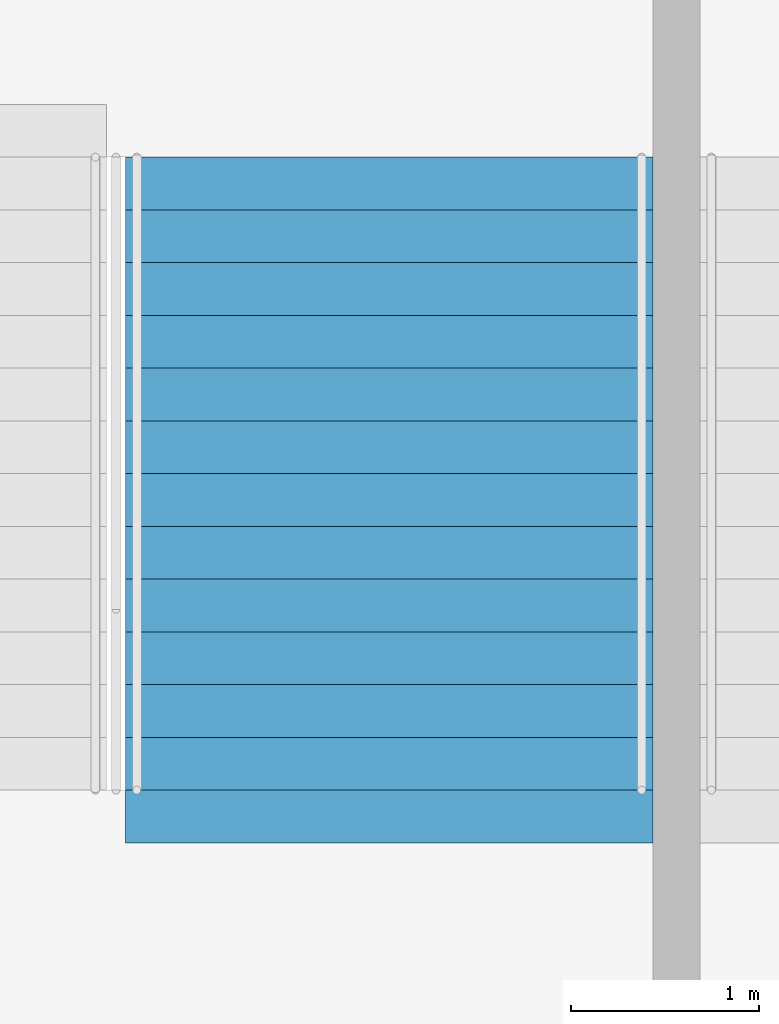
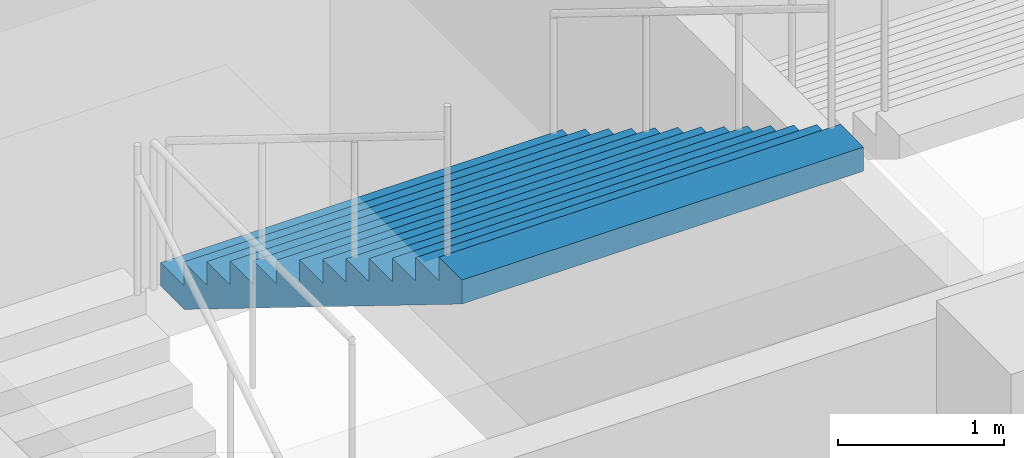
# One storey, part 171 of 199: 1 stair flight, 1 element without a shape of its own.
"""IFC4 building model written with IfcOpenShell, lengths in metres."""

from ifc_helpers import new_model, si_unit, direction, frame, origin, place, context, subcontext, project, spatial, faceted_brep, material, type_object, element, aggregate, save


model = new_model("IFC4")

# Units and contexts
model_context = context("Model", 3, precision=1e-05, world=origin(), true_north=direction((0.0, 1.0)))
body_context = subcontext(model_context, "Body", "Model", "MODEL_VIEW")
ifc_project = project(units=[si_unit("LENGTHUNIT", "METRE"), si_unit("AREAUNIT", "SQUARE_METRE"), si_unit("VOLUMEUNIT", "CUBIC_METRE"), si_unit("PLANEANGLEUNIT", "RADIAN"), si_unit("MASSUNIT", "GRAM", prefix="KILO")], contexts=[model_context])

# Site, building, storey
site_placement = place(None, origin())
site = spatial("IfcSite", under=ifc_project, at=site_placement, CompositionType="ELEMENT")
building_placement = place(site_placement, origin())
building = spatial("IfcBuilding", under=site, at=building_placement, Name="Ogive Plaza Stadium", CompositionType="ELEMENT")
storey_placement = place(building_placement, frame((0.0, 0.0, 4.5)))
storey = spatial("IfcBuildingStorey", under=building, at=storey_placement, Name="L01", CompositionType="ELEMENT", Elevation=4.5)

# Stair, stair flight
ifc_material_1 = material(Name="Concrete C40/50", Category="concrete")
stair_type = type_object("IfcStairType", Name="Exit stair", PredefinedType="STRAIGHT_RUN_STAIR", material=ifc_material_1)
stair_placement = place(storey_placement, origin())
stair = element("IfcStair", 1, at=stair_placement, inside=storey, type_object=stair_type, Name="Exit stair ST36B L01 to L02", PredefinedType="STRAIGHT_RUN_STAIR")
ifc_material_2 = material(Name="Concrete C40/50", Category="concrete")
stair_flight_type = type_object("IfcStairFlightType", Name="Exit stair flight", PredefinedType="STRAIGHT", material=ifc_material_2)
stair_flight_placement = place(storey_placement, frame((18.875, 98.2099609375, 2.25), z_axis=(0.0, 0.0, 1.0), x_axis=(0.0, -1.0, 0.0)))
stair_flight = element("IfcStairFlight", 2, at=stair_flight_placement, type_object=stair_flight_type, Name="ST36B flight 2", NumberOfRisers=13, NumberOfTreads=12, PredefinedType="STRAIGHT", RiserHeight=0.173076923, TreadLength=0.28, context=body_context, shape_type="Brep", body=[
    faceted_brep([(0.28515625, -1.39990234375, 0.0), (3.639892578125, -1.39990234375, 2.07373046875), (3.639892578125, -1.39990234375, 2.25), (3.360107421875, -1.39990234375, 2.25), (3.360107421875, -1.39990234375, 2.076904296875), (3.080078125, -1.39990234375, 2.076904296875), (3.080078125, -1.39990234375, 1.90380859375), (2.800048828125, -1.39990234375, 1.90380859375), (2.800048828125, -1.39990234375, 1.730712890625), (2.52001953125, -1.39990234375, 1.730712890625), (2.52001953125, -1.39990234375, 1.5576171875), (2.239990234375, -1.39990234375, 1.5576171875), (2.239990234375, -1.39990234375, 1.384521484375), (1.9599609375, -1.39990234375, 1.384521484375), (1.9599609375, -1.39990234375, 1.21142578125), (1.679931640625, -1.39990234375, 1.21142578125), (1.679931640625, -1.39990234375, 1.03857421875), (1.39990234375, -1.39990234375, 1.03857421875), (1.39990234375, -1.39990234375, 0.865478515625), (1.1201171875, -1.39990234375, 0.865478515625), (1.1201171875, -1.39990234375, 0.6923828125), (0.840087890625, -1.39990234375, 0.6923828125), (0.840087890625, -1.39990234375, 0.519287109375), (0.56005859375, -1.39990234375, 0.519287109375), (0.56005859375, -1.39990234375, 0.34619140625), (0.280029296875, -1.39990234375, 0.34619140625), (0.280029296875, -1.39990234375, 0.173095703125), (0.0, -1.39990234375, 0.173095703125), (0.0, -1.39990234375, 0.0), (0.0, 1.39990234375, 0.0), (0.0, 1.39990234375, 0.173095703125), (0.280029296875, 1.39990234375, 0.173095703125), (0.280029296875, 1.39990234375, 0.34619140625), (0.56005859375, 1.39990234375, 0.34619140625), (0.56005859375, 1.39990234375, 0.519287109375), (0.840087890625, 1.39990234375, 0.519287109375), (0.840087890625, 1.39990234375, 0.6923828125), (1.1201171875, 1.39990234375, 0.6923828125), (1.1201171875, 1.39990234375, 0.865478515625), (1.39990234375, 1.39990234375, 0.865478515625), (1.39990234375, 1.39990234375, 1.03857421875), (1.679931640625, 1.39990234375, 1.03857421875), (1.679931640625, 1.39990234375, 1.21142578125), (1.9599609375, 1.39990234375, 1.21142578125), (1.9599609375, 1.39990234375, 1.384521484375), (2.239990234375, 1.39990234375, 1.384521484375), (2.239990234375, 1.39990234375, 1.5576171875), (2.52001953125, 1.39990234375, 1.5576171875), (2.52001953125, 1.39990234375, 1.730712890625), (2.800048828125, 1.39990234375, 1.730712890625), (2.800048828125, 1.39990234375, 1.90380859375), (3.080078125, 1.39990234375, 1.90380859375), (3.080078125, 1.39990234375, 2.076904296875), (3.360107421875, 1.39990234375, 2.076904296875), (3.360107421875, 1.39990234375, 2.25), (3.639892578125, 1.39990234375, 2.25), (3.639892578125, 1.39990234375, 2.07373046875), (0.28515625, 1.39990234375, 0.0), (0.28515625, -1.0888671875, 0.0), (3.639892578125, -1.0888671875, 2.07373046875), (0.28515625, -0.77783203125, 0.0), (3.639892578125, -0.77783203125, 2.07373046875), (0.28515625, -0.466796875, 0.0), (3.639892578125, -0.466796875, 2.07373046875), (0.28515625, -0.155517578125, 0.0), (3.639892578125, -0.155517578125, 2.07373046875), (0.28515625, 0.155517578125, 0.0), (3.639892578125, 0.155517578125, 2.07373046875), (0.28515625, 0.466796875, 0.0), (3.639892578125, 0.466796875, 2.07373046875), (0.28515625, 0.77783203125, 0.0), (3.639892578125, 0.77783203125, 2.07373046875), (0.28515625, 1.0888671875, 0.0), (3.639892578125, 1.0888671875, 2.07373046875), (3.639892578125, -1.0888671875, 2.25), (3.639892578125, -0.77783203125, 2.25), (3.639892578125, -0.466796875, 2.25), (3.639892578125, -0.155517578125, 2.25), (3.639892578125, 0.155517578125, 2.25), (3.639892578125, 0.466796875, 2.25), (3.639892578125, 0.77783203125, 2.25), (3.639892578125, 1.0888671875, 2.25), (3.360107421875, -1.0888671875, 2.25), (3.360107421875, -0.77783203125, 2.25), (3.360107421875, -0.466796875, 2.25), (3.360107421875, -0.155517578125, 2.25), (3.360107421875, 0.155517578125, 2.25), (3.360107421875, 0.466796875, 2.25), (3.360107421875, 0.77783203125, 2.25), (3.360107421875, 1.0888671875, 2.25), (3.360107421875, -1.0888671875, 2.076904296875), (3.360107421875, -0.77783203125, 2.076904296875), (3.360107421875, -0.466796875, 2.076904296875), (3.360107421875, -0.155517578125, 2.076904296875), (3.360107421875, 0.155517578125, 2.076904296875), (3.360107421875, 0.466796875, 2.076904296875), (3.360107421875, 0.77783203125, 2.076904296875), (3.360107421875, 1.0888671875, 2.076904296875), (3.080078125, -1.0888671875, 2.076904296875), (3.080078125, -0.77783203125, 2.076904296875), (3.080078125, -0.466796875, 2.076904296875), (3.080078125, -0.155517578125, 2.076904296875), (3.080078125, 0.155517578125, 2.076904296875), (3.080078125, 0.466796875, 2.076904296875), (3.080078125, 0.77783203125, 2.076904296875), (3.080078125, 1.0888671875, 2.076904296875), (3.080078125, -1.0888671875, 1.90380859375), (3.080078125, -0.77783203125, 1.90380859375), (3.080078125, -0.466796875, 1.90380859375), (3.080078125, -0.155517578125, 1.90380859375), (3.080078125, 0.155517578125, 1.90380859375), (3.080078125, 0.466796875, 1.90380859375), (3.080078125, 0.77783203125, 1.90380859375), (3.080078125, 1.0888671875, 1.90380859375), (2.800048828125, -1.0888671875, 1.90380859375), (2.800048828125, -0.77783203125, 1.90380859375), (2.800048828125, -0.466796875, 1.90380859375), (2.800048828125, -0.155517578125, 1.90380859375), (2.800048828125, 0.155517578125, 1.90380859375), (2.800048828125, 0.466796875, 1.90380859375), (2.800048828125, 0.77783203125, 1.90380859375), (2.800048828125, 1.0888671875, 1.90380859375), (2.800048828125, -1.0888671875, 1.730712890625), (2.800048828125, -0.77783203125, 1.730712890625), (2.800048828125, -0.466796875, 1.730712890625), (2.800048828125, -0.155517578125, 1.730712890625), (2.800048828125, 0.155517578125, 1.730712890625), (2.800048828125, 0.466796875, 1.730712890625), (2.800048828125, 0.77783203125, 1.730712890625), (2.800048828125, 1.0888671875, 1.730712890625), (2.52001953125, -1.0888671875, 1.730712890625), (2.52001953125, -0.77783203125, 1.730712890625), (2.52001953125, -0.466796875, 1.730712890625), (2.52001953125, -0.155517578125, 1.730712890625), (2.52001953125, 0.155517578125, 1.730712890625), (2.52001953125, 0.466796875, 1.730712890625), (2.52001953125, 0.77783203125, 1.730712890625), (2.52001953125, 1.0888671875, 1.730712890625), (2.52001953125, -1.0888671875, 1.5576171875), (2.52001953125, -0.77783203125, 1.5576171875), (2.52001953125, -0.466796875, 1.5576171875), (2.52001953125, -0.155517578125, 1.5576171875), (2.52001953125, 0.155517578125, 1.5576171875), (2.52001953125, 0.466796875, 1.5576171875), (2.52001953125, 0.77783203125, 1.5576171875), (2.52001953125, 1.0888671875, 1.5576171875), (2.239990234375, -1.0888671875, 1.5576171875), (2.239990234375, -0.77783203125, 1.5576171875), (2.239990234375, -0.466796875, 1.5576171875), (2.239990234375, -0.155517578125, 1.5576171875), (2.239990234375, 0.155517578125, 1.5576171875), (2.239990234375, 0.466796875, 1.5576171875), (2.239990234375, 0.77783203125, 1.5576171875), (2.239990234375, 1.0888671875, 1.5576171875), (2.239990234375, -1.0888671875, 1.384521484375), (2.239990234375, -0.77783203125, 1.384521484375), (2.239990234375, -0.466796875, 1.384521484375), (2.239990234375, -0.155517578125, 1.384521484375), (2.239990234375, 0.155517578125, 1.384521484375), (2.239990234375, 0.466796875, 1.384521484375), (2.239990234375, 0.77783203125, 1.384521484375), (2.239990234375, 1.0888671875, 1.384521484375), (1.9599609375, -1.0888671875, 1.384521484375), (1.9599609375, -0.77783203125, 1.384521484375), (1.9599609375, -0.466796875, 1.384521484375), (1.9599609375, -0.155517578125, 1.384521484375), (1.9599609375, 0.155517578125, 1.384521484375), (1.9599609375, 0.466796875, 1.384521484375), (1.9599609375, 0.77783203125, 1.384521484375), (1.9599609375, 1.0888671875, 1.384521484375), (1.9599609375, -1.0888671875, 1.21142578125), (1.9599609375, -0.77783203125, 1.21142578125), (1.9599609375, -0.466796875, 1.21142578125), (1.9599609375, -0.155517578125, 1.21142578125), (1.9599609375, 0.155517578125, 1.21142578125), (1.9599609375, 0.466796875, 1.21142578125), (1.9599609375, 0.77783203125, 1.21142578125), (1.9599609375, 1.0888671875, 1.21142578125), (1.679931640625, -1.0888671875, 1.21142578125), (1.679931640625, -0.77783203125, 1.21142578125), (1.679931640625, -0.466796875, 1.21142578125), (1.679931640625, -0.155517578125, 1.21142578125), (1.679931640625, 0.155517578125, 1.21142578125), (1.679931640625, 0.466796875, 1.21142578125), (1.679931640625, 0.77783203125, 1.21142578125), (1.679931640625, 1.0888671875, 1.21142578125), (1.679931640625, -1.0888671875, 1.03857421875), (1.679931640625, -0.77783203125, 1.03857421875), (1.679931640625, -0.466796875, 1.03857421875), (1.679931640625, -0.155517578125, 1.03857421875), (1.679931640625, 0.155517578125, 1.03857421875), (1.679931640625, 0.466796875, 1.03857421875), (1.679931640625, 0.77783203125, 1.03857421875), (1.679931640625, 1.0888671875, 1.03857421875), (1.39990234375, -1.0888671875, 1.03857421875), (1.39990234375, -0.77783203125, 1.03857421875), (1.39990234375, -0.466796875, 1.03857421875), (1.39990234375, -0.155517578125, 1.03857421875), (1.39990234375, 0.155517578125, 1.03857421875), (1.39990234375, 0.466796875, 1.03857421875), (1.39990234375, 0.77783203125, 1.03857421875), (1.39990234375, 1.0888671875, 1.03857421875), (1.39990234375, -1.0888671875, 0.865478515625), (1.39990234375, -0.77783203125, 0.865478515625), (1.39990234375, -0.466796875, 0.865478515625), (1.39990234375, -0.155517578125, 0.865478515625), (1.39990234375, 0.155517578125, 0.865478515625), (1.39990234375, 0.466796875, 0.865478515625), (1.39990234375, 0.77783203125, 0.865478515625), (1.39990234375, 1.0888671875, 0.865478515625), (1.1201171875, -1.0888671875, 0.865478515625), (1.1201171875, -0.77783203125, 0.865478515625), (1.1201171875, -0.466796875, 0.865478515625), (1.1201171875, -0.155517578125, 0.865478515625), (1.1201171875, 0.155517578125, 0.865478515625), (1.1201171875, 0.466796875, 0.865478515625), (1.1201171875, 0.77783203125, 0.865478515625), (1.1201171875, 1.0888671875, 0.865478515625), (1.1201171875, -1.0888671875, 0.6923828125), (1.1201171875, -0.77783203125, 0.6923828125), (1.1201171875, -0.466796875, 0.6923828125), (1.1201171875, -0.155517578125, 0.6923828125), (1.1201171875, 0.155517578125, 0.6923828125), (1.1201171875, 0.466796875, 0.6923828125), (1.1201171875, 0.77783203125, 0.6923828125), (1.1201171875, 1.0888671875, 0.6923828125), (0.840087890625, -1.0888671875, 0.6923828125), (0.840087890625, -0.77783203125, 0.6923828125), (0.840087890625, -0.466796875, 0.6923828125), (0.840087890625, -0.155517578125, 0.6923828125), (0.840087890625, 0.155517578125, 0.6923828125), (0.840087890625, 0.466796875, 0.6923828125), (0.840087890625, 0.77783203125, 0.6923828125), (0.840087890625, 1.0888671875, 0.6923828125), (0.840087890625, -1.0888671875, 0.519287109375), (0.840087890625, -0.77783203125, 0.519287109375), (0.840087890625, -0.466796875, 0.519287109375), (0.840087890625, -0.155517578125, 0.519287109375), (0.840087890625, 0.155517578125, 0.519287109375), (0.840087890625, 0.466796875, 0.519287109375), (0.840087890625, 0.77783203125, 0.519287109375), (0.840087890625, 1.0888671875, 0.519287109375), (0.56005859375, -1.0888671875, 0.519287109375), (0.56005859375, -0.77783203125, 0.519287109375), (0.56005859375, -0.466796875, 0.519287109375), (0.56005859375, -0.155517578125, 0.519287109375), (0.56005859375, 0.155517578125, 0.519287109375), (0.56005859375, 0.466796875, 0.519287109375), (0.56005859375, 0.77783203125, 0.519287109375), (0.56005859375, 1.0888671875, 0.519287109375), (0.56005859375, -1.0888671875, 0.34619140625), (0.56005859375, -0.77783203125, 0.34619140625), (0.56005859375, -0.466796875, 0.34619140625), (0.56005859375, -0.155517578125, 0.34619140625), (0.56005859375, 0.155517578125, 0.34619140625), (0.56005859375, 0.466796875, 0.34619140625), (0.56005859375, 0.77783203125, 0.34619140625), (0.56005859375, 1.0888671875, 0.34619140625), (0.280029296875, -1.0888671875, 0.34619140625), (0.280029296875, -0.77783203125, 0.34619140625), (0.280029296875, -0.466796875, 0.34619140625), (0.280029296875, -0.155517578125, 0.34619140625), (0.280029296875, 0.155517578125, 0.34619140625), (0.280029296875, 0.466796875, 0.34619140625), (0.280029296875, 0.77783203125, 0.34619140625), (0.280029296875, 1.0888671875, 0.34619140625), (0.280029296875, -1.0888671875, 0.173095703125), (0.280029296875, -0.77783203125, 0.173095703125), (0.280029296875, -0.466796875, 0.173095703125), (0.280029296875, -0.155517578125, 0.173095703125), (0.280029296875, 0.155517578125, 0.173095703125), (0.280029296875, 0.466796875, 0.173095703125), (0.280029296875, 0.77783203125, 0.173095703125), (0.280029296875, 1.0888671875, 0.173095703125), (0.0, -1.0888671875, 0.173095703125), (0.0, -0.77783203125, 0.173095703125), (0.0, -0.466796875, 0.173095703125), (0.0, -0.155517578125, 0.173095703125), (0.0, 0.155517578125, 0.173095703125), (0.0, 0.466796875, 0.173095703125), (0.0, 0.77783203125, 0.173095703125), (0.0, 1.0888671875, 0.173095703125), (0.0, -1.0888671875, 0.0), (0.0, -0.77783203125, 0.0), (0.0, -0.466796875, 0.0), (0.0, -0.155517578125, 0.0), (0.0, 0.155517578125, 0.0), (0.0, 0.466796875, 0.0), (0.0, 0.77783203125, 0.0), (0.0, 1.0888671875, 0.0)], [[[0, 1, 2, 3, 4, 5, 6, 7, 8, 9, 10, 11, 12, 13, 14, 15, 16, 17, 18, 19, 20, 21, 22, 23, 24, 25, 26, 27, 28]], [[29, 30, 31, 32, 33, 34, 35, 36, 37, 38, 39, 40, 41, 42, 43, 44, 45, 46, 47, 48, 49, 50, 51, 52, 53, 54, 55, 56, 57]], [[0, 58, 59, 1]], [[58, 60, 61, 59]], [[60, 62, 63, 61]], [[62, 64, 65, 63]], [[64, 66, 67, 65]], [[66, 68, 69, 67]], [[68, 70, 71, 69]], [[70, 72, 73, 71]], [[72, 57, 56, 73]], [[1, 59, 74, 2]], [[59, 61, 75, 74]], [[61, 63, 76, 75]], [[63, 65, 77, 76]], [[65, 67, 78, 77]], [[67, 69, 79, 78]], [[69, 71, 80, 79]], [[71, 73, 81, 80]], [[73, 56, 55, 81]], [[2, 74, 82, 3]], [[74, 75, 83, 82]], [[75, 76, 84, 83]], [[76, 77, 85, 84]], [[77, 78, 86, 85]], [[78, 79, 87, 86]], [[79, 80, 88, 87]], [[80, 81, 89, 88]], [[81, 55, 54, 89]], [[3, 82, 90, 4]], [[82, 83, 91, 90]], [[83, 84, 92, 91]], [[84, 85, 93, 92]], [[85, 86, 94, 93]], [[86, 87, 95, 94]], [[87, 88, 96, 95]], [[88, 89, 97, 96]], [[89, 54, 53, 97]], [[4, 90, 98, 5]], [[90, 91, 99, 98]], [[91, 92, 100, 99]], [[92, 93, 101, 100]], [[93, 94, 102, 101]], [[94, 95, 103, 102]], [[95, 96, 104, 103]], [[96, 97, 105, 104]], [[97, 53, 52, 105]], [[5, 98, 106, 6]], [[98, 99, 107, 106]], [[99, 100, 108, 107]], [[100, 101, 109, 108]], [[101, 102, 110, 109]], [[102, 103, 111, 110]], [[103, 104, 112, 111]], [[104, 105, 113, 112]], [[105, 52, 51, 113]], [[6, 106, 114, 7]], [[106, 107, 115, 114]], [[107, 108, 116, 115]], [[108, 109, 117, 116]], [[109, 110, 118, 117]], [[110, 111, 119, 118]], [[111, 112, 120, 119]], [[112, 113, 121, 120]], [[113, 51, 50, 121]], [[7, 114, 122, 8]], [[114, 115, 123, 122]], [[115, 116, 124, 123]], [[116, 117, 125, 124]], [[117, 118, 126, 125]], [[118, 119, 127, 126]], [[119, 120, 128, 127]], [[120, 121, 129, 128]], [[121, 50, 49, 129]], [[8, 122, 130, 9]], [[122, 123, 131, 130]], [[123, 124, 132, 131]], [[124, 125, 133, 132]], [[125, 126, 134, 133]], [[126, 127, 135, 134]], [[127, 128, 136, 135]], [[128, 129, 137, 136]], [[129, 49, 48, 137]], [[9, 130, 138, 10]], [[130, 131, 139, 138]], [[131, 132, 140, 139]], [[132, 133, 141, 140]], [[133, 134, 142, 141]], [[134, 135, 143, 142]], [[135, 136, 144, 143]], [[136, 137, 145, 144]], [[137, 48, 47, 145]], [[10, 138, 146, 11]], [[138, 139, 147, 146]], [[139, 140, 148, 147]], [[140, 141, 149, 148]], [[141, 142, 150, 149]], [[142, 143, 151, 150]], [[143, 144, 152, 151]], [[144, 145, 153, 152]], [[145, 47, 46, 153]], [[11, 146, 154, 12]], [[146, 147, 155, 154]], [[147, 148, 156, 155]], [[148, 149, 157, 156]], [[149, 150, 158, 157]], [[150, 151, 159, 158]], [[151, 152, 160, 159]], [[152, 153, 161, 160]], [[153, 46, 45, 161]], [[12, 154, 162, 13]], [[154, 155, 163, 162]], [[155, 156, 164, 163]], [[156, 157, 165, 164]], [[157, 158, 166, 165]], [[158, 159, 167, 166]], [[159, 160, 168, 167]], [[160, 161, 169, 168]], [[161, 45, 44, 169]], [[13, 162, 170, 14]], [[162, 163, 171, 170]], [[163, 164, 172, 171]], [[164, 165, 173, 172]], [[165, 166, 174, 173]], [[166, 167, 175, 174]], [[167, 168, 176, 175]], [[168, 169, 177, 176]], [[169, 44, 43, 177]], [[14, 170, 178, 15]], [[170, 171, 179, 178]], [[171, 172, 180, 179]], [[172, 173, 181, 180]], [[173, 174, 182, 181]], [[174, 175, 183, 182]], [[175, 176, 184, 183]], [[176, 177, 185, 184]], [[177, 43, 42, 185]], [[15, 178, 186, 16]], [[178, 179, 187, 186]], [[179, 180, 188, 187]], [[180, 181, 189, 188]], [[181, 182, 190, 189]], [[182, 183, 191, 190]], [[183, 184, 192, 191]], [[184, 185, 193, 192]], [[185, 42, 41, 193]], [[16, 186, 194, 17]], [[186, 187, 195, 194]], [[187, 188, 196, 195]], [[188, 189, 197, 196]], [[189, 190, 198, 197]], [[190, 191, 199, 198]], [[191, 192, 200, 199]], [[192, 193, 201, 200]], [[193, 41, 40, 201]], [[17, 194, 202, 18]], [[194, 195, 203, 202]], [[195, 196, 204, 203]], [[196, 197, 205, 204]], [[197, 198, 206, 205]], [[198, 199, 207, 206]], [[199, 200, 208, 207]], [[200, 201, 209, 208]], [[201, 40, 39, 209]], [[18, 202, 210, 19]], [[202, 203, 211, 210]], [[203, 204, 212, 211]], [[204, 205, 213, 212]], [[205, 206, 214, 213]], [[206, 207, 215, 214]], [[207, 208, 216, 215]], [[208, 209, 217, 216]], [[209, 39, 38, 217]], [[19, 210, 218, 20]], [[210, 211, 219, 218]], [[211, 212, 220, 219]], [[212, 213, 221, 220]], [[213, 214, 222, 221]], [[214, 215, 223, 222]], [[215, 216, 224, 223]], [[216, 217, 225, 224]], [[217, 38, 37, 225]], [[20, 218, 226, 21]], [[218, 219, 227, 226]], [[219, 220, 228, 227]], [[220, 221, 229, 228]], [[221, 222, 230, 229]], [[222, 223, 231, 230]], [[223, 224, 232, 231]], [[224, 225, 233, 232]], [[225, 37, 36, 233]], [[21, 226, 234, 22]], [[226, 227, 235, 234]], [[227, 228, 236, 235]], [[228, 229, 237, 236]], [[229, 230, 238, 237]], [[230, 231, 239, 238]], [[231, 232, 240, 239]], [[232, 233, 241, 240]], [[233, 36, 35, 241]], [[22, 234, 242, 23]], [[234, 235, 243, 242]], [[235, 236, 244, 243]], [[236, 237, 245, 244]], [[237, 238, 246, 245]], [[238, 239, 247, 246]], [[239, 240, 248, 247]], [[240, 241, 249, 248]], [[241, 35, 34, 249]], [[23, 242, 250, 24]], [[242, 243, 251, 250]], [[243, 244, 252, 251]], [[244, 245, 253, 252]], [[245, 246, 254, 253]], [[246, 247, 255, 254]], [[247, 248, 256, 255]], [[248, 249, 257, 256]], [[249, 34, 33, 257]], [[24, 250, 258, 25]], [[250, 251, 259, 258]], [[251, 252, 260, 259]], [[252, 253, 261, 260]], [[253, 254, 262, 261]], [[254, 255, 263, 262]], [[255, 256, 264, 263]], [[256, 257, 265, 264]], [[257, 33, 32, 265]], [[25, 258, 266, 26]], [[258, 259, 267, 266]], [[259, 260, 268, 267]], [[260, 261, 269, 268]], [[261, 262, 270, 269]], [[262, 263, 271, 270]], [[263, 264, 272, 271]], [[264, 265, 273, 272]], [[265, 32, 31, 273]], [[26, 266, 274, 27]], [[266, 267, 275, 274]], [[267, 268, 276, 275]], [[268, 269, 277, 276]], [[269, 270, 278, 277]], [[270, 271, 279, 278]], [[271, 272, 280, 279]], [[272, 273, 281, 280]], [[273, 31, 30, 281]], [[27, 274, 282, 28]], [[274, 275, 283, 282]], [[275, 276, 284, 283]], [[276, 277, 285, 284]], [[277, 278, 286, 285]], [[278, 279, 287, 286]], [[279, 280, 288, 287]], [[280, 281, 289, 288]], [[281, 30, 29, 289]], [[28, 282, 58, 0]], [[282, 283, 60, 58]], [[283, 284, 62, 60]], [[284, 285, 64, 62]], [[285, 286, 66, 64]], [[286, 287, 68, 66]], [[287, 288, 70, 68]], [[288, 289, 72, 70]], [[289, 29, 57, 72]]]),
])
aggregate(stair, [stair_flight])

save(model, "model.ifc")
